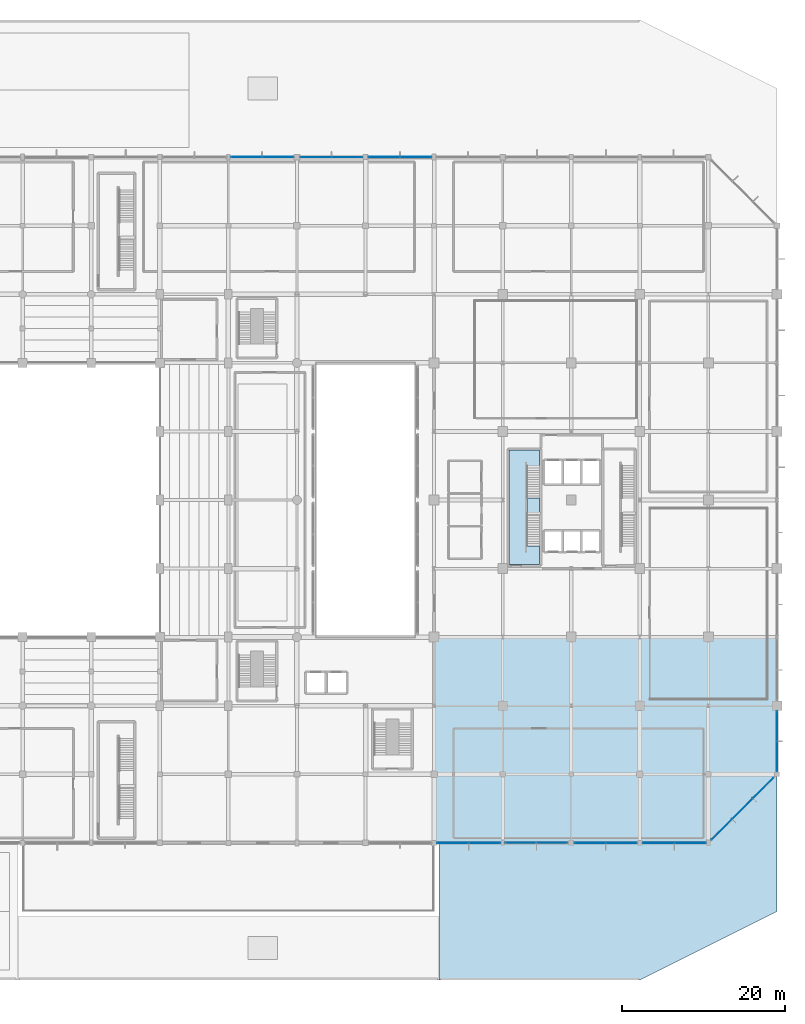
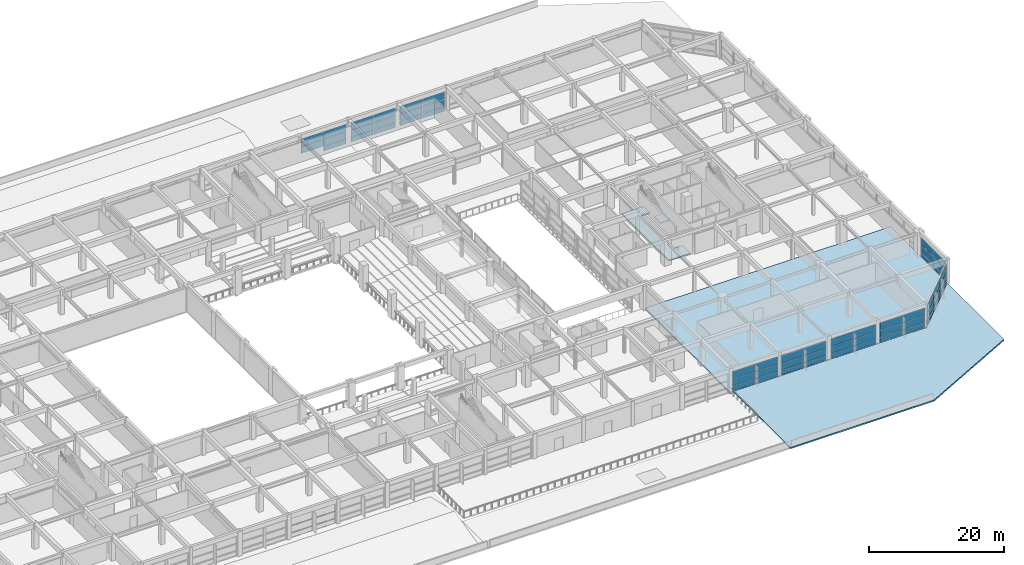
# One storey, part 40 of 60: 56 plates, 4 slabs, 10 elements without a shape of their own.
"""IFC4 building model written with IfcOpenShell, lengths in metres."""

from ifc_helpers import new_model, si_unit, direction, frame, origin, origin_2d, place, context, subcontext, project, spatial, polyline, rectangle, outline, extrude, material, layer, layer_set, type_object, element, aggregate, save


model = new_model("IFC4")

# Units and contexts
model_context = context("Model", 3, precision=1e-05, world=origin(), true_north=direction((0.0, 1.0)))
body_context = subcontext(model_context, "Body", "Model", "MODEL_VIEW")
ifc_project = project(units=[si_unit("LENGTHUNIT", "METRE"), si_unit("AREAUNIT", "SQUARE_METRE"), si_unit("VOLUMEUNIT", "CUBIC_METRE"), si_unit("PLANEANGLEUNIT", "RADIAN"), si_unit("MASSUNIT", "GRAM", prefix="KILO")], contexts=[model_context])

# Site, building, storey
site_placement = place(None, origin())
site = spatial("IfcSite", under=ifc_project, at=site_placement, CompositionType="ELEMENT")
building_placement = place(site_placement, origin())
building = spatial("IfcBuilding", under=site, at=building_placement, Name="Xuanlan Plaza Opera House", CompositionType="ELEMENT")
storey_placement = place(building_placement, frame((0.0, 0.0, 9.89990234375)))
storey = spatial("IfcBuildingStorey", under=building, at=storey_placement, Name="L02", CompositionType="ELEMENT", Elevation=9.89990234375)

# Curtain wall, plates
ifc_material_1 = material(Name="Anodised Aluminium 6063-T6 and Low-E Glass", Category="aluminium")
curtain_wall_type_1 = type_object("IfcCurtainWallType", Name="ENV-CW-CW-03", PredefinedType="USERDEFINED", material=ifc_material_1)
curtain_wall_1_placement = place(storey_placement, origin())
curtain_wall_1 = element("IfcCurtainWall", 1, at=curtain_wall_1_placement, inside=storey, type_object=curtain_wall_type_1, Name="Unitised Curtain Wall L02-019", ObjectType="UNITISED CURTAIN WALL", PredefinedType="USERDEFINED")
ifc_material_2 = material(Name="Laminated Acoustic Double Glazing", Category="glass")
ifc_layer_1 = layer(ifc_material_2, 0.028076171875)
ifc_layer_set_1 = layer_set([ifc_layer_1], Name="Laminated Acoustic Double Glazing")
plate_type_1 = type_object("IfcPlateType", Name="ENV-CWP-01", PredefinedType="CURTAIN_PANEL", material=ifc_layer_set_1)
plate_1_placement = place(storey_placement, frame((161.237548828125, 18.4375, 0.0703125), z_axis=(0.0, 0.0, 1.0), x_axis=(0.707106781187, 0.707106781187, 0.0)))
plate_1 = element("IfcPlate", 2, at=plate_1_placement, type_object=plate_type_1, Name="CW-03 panel 1.1", PredefinedType="CURTAIN_PANEL", context=body_context, shape_type="SweptSolid", body=[
    extrude(rectangle(XDim=3.49462890625, YDim=0.028076171875, at=origin_2d()), origin(), (0.0, 0.0, 1.0), 0.844970703125),
])
plate_2_placement = place(storey_placement, frame((161.237548828125, 18.4375, 0.985107421875), z_axis=(0.0, 0.0, 1.0), x_axis=(0.707106781187, 0.707106781187, 0.0)))
plate_2 = element("IfcPlate", 3, at=plate_2_placement, type_object=plate_type_1, Name="CW-03 panel 1.2", PredefinedType="CURTAIN_PANEL", context=body_context, shape_type="SweptSolid", body=[
    extrude(rectangle(XDim=3.49462890625, YDim=0.028076171875, at=origin_2d()), origin(), (0.0, 0.0, 1.0), 1.22998046875),
])
plate_3_placement = place(storey_placement, frame((161.237548828125, 18.4375, 2.28515625), z_axis=(0.0, 0.0, 1.0), x_axis=(0.707106781187, 0.707106781187, 0.0)))
plate_3 = element("IfcPlate", 4, at=plate_3_placement, type_object=plate_type_1, Name="CW-03 panel 1.3", PredefinedType="CURTAIN_PANEL", context=body_context, shape_type="SweptSolid", body=[
    extrude(rectangle(XDim=3.49462890625, YDim=0.028076171875, at=origin_2d()), origin(), (0.0, 0.0, 1.0), 1.324951171875),
])
plate_4_placement = place(storey_placement, frame((163.77490234375, 20.97509765625, 0.0703125), z_axis=(0.0, 0.0, 1.0), x_axis=(0.707106781187, 0.707106781187, 0.0)))
plate_4 = element("IfcPlate", 5, at=plate_4_placement, type_object=plate_type_1, Name="CW-03 panel 2.1", PredefinedType="CURTAIN_PANEL", context=body_context, shape_type="SweptSolid", body=[
    extrude(rectangle(XDim=3.5322265625, YDim=0.028076171875, at=origin_2d()), origin(), (0.0, 0.0, 1.0), 0.844970703125),
])
plate_5_placement = place(storey_placement, frame((163.77490234375, 20.97509765625, 0.985107421875), z_axis=(0.0, 0.0, 1.0), x_axis=(0.707106781187, 0.707106781187, 0.0)))
plate_5 = element("IfcPlate", 6, at=plate_5_placement, type_object=plate_type_1, Name="CW-03 panel 2.2", PredefinedType="CURTAIN_PANEL", context=body_context, shape_type="SweptSolid", body=[
    extrude(rectangle(XDim=3.5322265625, YDim=0.028076171875, at=origin_2d()), origin(), (0.0, 0.0, 1.0), 1.22998046875),
])
plate_6_placement = place(storey_placement, frame((163.77490234375, 20.97509765625, 2.28515625), z_axis=(0.0, 0.0, 1.0), x_axis=(0.707106781187, 0.707106781187, 0.0)))
plate_6 = element("IfcPlate", 7, at=plate_6_placement, type_object=plate_type_1, Name="CW-03 panel 2.3", PredefinedType="CURTAIN_PANEL", context=body_context, shape_type="SweptSolid", body=[
    extrude(rectangle(XDim=3.5322265625, YDim=0.028076171875, at=origin_2d()), origin(), (0.0, 0.0, 1.0), 1.324951171875),
])
plate_7_placement = place(storey_placement, frame((166.3125, 23.512451171875, 0.0703125), z_axis=(0.0, 0.0, 1.0), x_axis=(0.707106781187, 0.707106781187, 0.0)))
plate_7 = element("IfcPlate", 8, at=plate_7_placement, type_object=plate_type_1, Name="CW-03 panel 3.1", PredefinedType="CURTAIN_PANEL", context=body_context, shape_type="SweptSolid", body=[
    extrude(rectangle(XDim=3.49462890625, YDim=0.028076171875, at=origin_2d()), origin(), (0.0, 0.0, 1.0), 0.844970703125),
])
plate_8_placement = place(storey_placement, frame((166.3125, 23.512451171875, 0.985107421875), z_axis=(0.0, 0.0, 1.0), x_axis=(0.707106781187, 0.707106781187, 0.0)))
plate_8 = element("IfcPlate", 9, at=plate_8_placement, type_object=plate_type_1, Name="CW-03 panel 3.2", PredefinedType="CURTAIN_PANEL", context=body_context, shape_type="SweptSolid", body=[
    extrude(rectangle(XDim=3.49462890625, YDim=0.028076171875, at=origin_2d()), origin(), (0.0, 0.0, 1.0), 1.22998046875),
])
plate_9_placement = place(storey_placement, frame((166.3125, 23.512451171875, 2.28515625), z_axis=(0.0, 0.0, 1.0), x_axis=(0.707106781187, 0.707106781187, 0.0)))
plate_9 = element("IfcPlate", 10, at=plate_9_placement, type_object=plate_type_1, Name="CW-03 panel 3.3", PredefinedType="CURTAIN_PANEL", context=body_context, shape_type="SweptSolid", body=[
    extrude(rectangle(XDim=3.49462890625, YDim=0.028076171875, at=origin_2d()), origin(), (0.0, 0.0, 1.0), 1.324951171875),
])
aggregate(curtain_wall_1, [plate_1, plate_2, plate_3, plate_4, plate_5, plate_6, plate_7, plate_8, plate_9])

curtain_wall_type_2 = type_object("IfcCurtainWallType", Name="ENV-CW-CW-05", PredefinedType="USERDEFINED", material=ifc_material_1)
curtain_wall_2_placement = place(storey_placement, origin())
curtain_wall_2 = element("IfcCurtainWall", 11, at=curtain_wall_2_placement, inside=storey, type_object=curtain_wall_type_2, Name="Acoustic Glazed Wall L02-034", ObjectType="ACOUSTIC GLAZED WALL", PredefinedType="USERDEFINED")
plate_10_placement = place(storey_placement, frame((115.333740234375, 100.800048828125, 0.0703125), z_axis=(0.0, 0.0, 1.0), x_axis=(-1.0, 0.0, 0.0)))
plate_10 = element("IfcPlate", 12, at=plate_10_placement, type_object=plate_type_1, Name="CW-05 panel 1.1", PredefinedType="CURTAIN_PANEL", context=body_context, shape_type="SweptSolid", body=[
    extrude(rectangle(XDim=3.742431640625, YDim=0.028076171875, at=origin_2d()), origin(), (0.0, 0.0, 1.0), 0.844970703125),
])
plate_11_placement = place(storey_placement, frame((115.333740234375, 100.800048828125, 0.985107421875), z_axis=(0.0, 0.0, 1.0), x_axis=(-1.0, 0.0, 0.0)))
plate_11 = element("IfcPlate", 13, at=plate_11_placement, type_object=plate_type_1, Name="CW-05 panel 1.2", PredefinedType="CURTAIN_PANEL", context=body_context, shape_type="SweptSolid", body=[
    extrude(rectangle(XDim=3.742431640625, YDim=0.028076171875, at=origin_2d()), origin(), (0.0, 0.0, 1.0), 1.22998046875),
])
plate_12_placement = place(storey_placement, frame((115.333740234375, 100.800048828125, 2.28515625), z_axis=(0.0, 0.0, 1.0), x_axis=(-1.0, 0.0, 0.0)))
plate_12 = element("IfcPlate", 14, at=plate_12_placement, type_object=plate_type_1, Name="CW-05 panel 1.3", PredefinedType="CURTAIN_PANEL", context=body_context, shape_type="SweptSolid", body=[
    extrude(rectangle(XDim=3.742431640625, YDim=0.028076171875, at=origin_2d()), origin(), (0.0, 0.0, 1.0), 1.324951171875),
])
plate_13_placement = place(storey_placement, frame((111.516357421875, 100.800048828125, 0.0703125), z_axis=(0.0, 0.0, 1.0), x_axis=(-1.0, 0.0, 0.0)))
plate_13 = element("IfcPlate", 15, at=plate_13_placement, type_object=plate_type_1, Name="CW-05 panel 2.1", PredefinedType="CURTAIN_PANEL", context=body_context, shape_type="SweptSolid", body=[
    extrude(rectangle(XDim=3.742431640625, YDim=0.028076171875, at=origin_2d()), origin(), (0.0, 0.0, 1.0), 0.844970703125),
])
plate_14_placement = place(storey_placement, frame((111.516357421875, 100.800048828125, 0.985107421875), z_axis=(0.0, 0.0, 1.0), x_axis=(-1.0, 0.0, 0.0)))
plate_14 = element("IfcPlate", 16, at=plate_14_placement, type_object=plate_type_1, Name="CW-05 panel 2.2", PredefinedType="CURTAIN_PANEL", context=body_context, shape_type="SweptSolid", body=[
    extrude(rectangle(XDim=3.742431640625, YDim=0.028076171875, at=origin_2d()), origin(), (0.0, 0.0, 1.0), 1.22998046875),
])
plate_15_placement = place(storey_placement, frame((111.516357421875, 100.800048828125, 2.28515625), z_axis=(0.0, 0.0, 1.0), x_axis=(-1.0, 0.0, 0.0)))
plate_15 = element("IfcPlate", 17, at=plate_15_placement, type_object=plate_type_1, Name="CW-05 panel 2.3", PredefinedType="CURTAIN_PANEL", context=body_context, shape_type="SweptSolid", body=[
    extrude(rectangle(XDim=3.742431640625, YDim=0.028076171875, at=origin_2d()), origin(), (0.0, 0.0, 1.0), 1.324951171875),
])
aggregate(curtain_wall_2, [plate_10, plate_11, plate_12, plate_13, plate_14, plate_15])

curtain_wall_type_3 = type_object("IfcCurtainWallType", Name="ENV-CW-CW-04", PredefinedType="USERDEFINED", material=ifc_material_1)
curtain_wall_3_placement = place(storey_placement, origin())
curtain_wall_3 = element("IfcCurtainWall", 18, at=curtain_wall_3_placement, inside=storey, type_object=curtain_wall_type_3, Name="Unitised Curtain Wall L02-016", ObjectType="UNITISED CURTAIN WALL", PredefinedType="USERDEFINED")
ifc_layer_2 = layer(ifc_material_2, 0.031982421875)
ifc_layer_set_2 = layer_set([ifc_layer_2], Name="Laminated Acoustic Double Glazing")
plate_type_2 = type_object("IfcPlateType", Name="ENV-CWP-02", PredefinedType="CURTAIN_PANEL", material=ifc_layer_set_2)
plate_16_placement = place(storey_placement, frame((136.61376953125, 16.800048828125, 0.065185546875), z_axis=(0.0, 0.0, 1.0), x_axis=(1.0, 0.0, 0.0)))
plate_16 = element("IfcPlate", 19, at=plate_16_placement, type_object=plate_type_2, Name="CW-04 panel 1.1", PredefinedType="CURTAIN_PANEL", context=body_context, shape_type="SweptSolid", body=[
    extrude(rectangle(XDim=3.757568359375, YDim=0.031982421875, at=origin_2d()), origin(), (0.0, 0.0, 1.0), 0.8525390625),
])
plate_17_placement = place(storey_placement, frame((136.61376953125, 16.800048828125, 0.982421875), z_axis=(0.0, 0.0, 1.0), x_axis=(1.0, 0.0, 0.0)))
plate_17 = element("IfcPlate", 20, at=plate_17_placement, type_object=plate_type_2, Name="CW-04 panel 1.2", PredefinedType="CURTAIN_PANEL", context=body_context, shape_type="SweptSolid", body=[
    extrude(rectangle(XDim=3.757568359375, YDim=0.031982421875, at=origin_2d()), origin(), (0.0, 0.0, 1.0), 1.235107421875),
])
plate_18_placement = place(storey_placement, frame((136.61376953125, 16.800048828125, 2.282470703125), z_axis=(0.0, 0.0, 1.0), x_axis=(1.0, 0.0, 0.0)))
plate_18 = element("IfcPlate", 21, at=plate_18_placement, type_object=plate_type_2, Name="CW-04 panel 1.3", PredefinedType="CURTAIN_PANEL", context=body_context, shape_type="SweptSolid", body=[
    extrude(rectangle(XDim=3.757568359375, YDim=0.031982421875, at=origin_2d()), origin(), (0.0, 0.0, 1.0), 1.33251953125),
])
plate_19_placement = place(storey_placement, frame((140.461181640625, 16.800048828125, 0.065185546875), z_axis=(0.0, 0.0, 1.0), x_axis=(1.0, 0.0, 0.0)))
plate_19 = element("IfcPlate", 22, at=plate_19_placement, type_object=plate_type_2, Name="CW-04 panel 2.1", PredefinedType="CURTAIN_PANEL", context=body_context, shape_type="SweptSolid", body=[
    extrude(rectangle(XDim=3.757568359375, YDim=0.031982421875, at=origin_2d()), origin(), (0.0, 0.0, 1.0), 0.8525390625),
])
plate_20_placement = place(storey_placement, frame((140.461181640625, 16.800048828125, 0.982421875), z_axis=(0.0, 0.0, 1.0), x_axis=(1.0, 0.0, 0.0)))
plate_20 = element("IfcPlate", 23, at=plate_20_placement, type_object=plate_type_2, Name="CW-04 panel 2.2", PredefinedType="CURTAIN_PANEL", context=body_context, shape_type="SweptSolid", body=[
    extrude(rectangle(XDim=3.757568359375, YDim=0.031982421875, at=origin_2d()), origin(), (0.0, 0.0, 1.0), 1.235107421875),
])
plate_21_placement = place(storey_placement, frame((140.461181640625, 16.800048828125, 2.282470703125), z_axis=(0.0, 0.0, 1.0), x_axis=(1.0, 0.0, 0.0)))
plate_21 = element("IfcPlate", 24, at=plate_21_placement, type_object=plate_type_2, Name="CW-04 panel 2.3", PredefinedType="CURTAIN_PANEL", context=body_context, shape_type="SweptSolid", body=[
    extrude(rectangle(XDim=3.757568359375, YDim=0.031982421875, at=origin_2d()), origin(), (0.0, 0.0, 1.0), 1.33251953125),
])
aggregate(curtain_wall_3, [plate_16, plate_17, plate_18, plate_19, plate_20, plate_21])

curtain_wall_type_4 = type_object("IfcCurtainWallType", Name="ENV-CW-CW-02", PredefinedType="USERDEFINED", material=ifc_material_1)
curtain_wall_4_placement = place(storey_placement, origin())
curtain_wall_4 = element("IfcCurtainWall", 25, at=curtain_wall_4_placement, inside=storey, type_object=curtain_wall_type_4, Name="Unitised Curtain Wall L02-018", ObjectType="UNITISED CURTAIN WALL", PredefinedType="USERDEFINED")
ifc_layer_3 = layer(ifc_material_2, 0.035888671875)
ifc_layer_set_3 = layer_set([ifc_layer_3], Name="Laminated Acoustic Double Glazing")
plate_type_3 = type_object("IfcPlateType", Name="ENV-CWP-03", PredefinedType="CURTAIN_PANEL", material=ifc_layer_set_3)
plate_22_placement = place(storey_placement, frame((153.489990234375, 16.800048828125, 0.090087890625), z_axis=(0.0, 0.0, 1.0), x_axis=(1.0, 0.0, 0.0)))
plate_22 = element("IfcPlate", 26, at=plate_22_placement, type_object=plate_type_3, Name="CW-02 panel 1.1", PredefinedType="CURTAIN_PANEL", context=body_context, shape_type="SweptSolid", body=[
    extrude(rectangle(XDim=3.800048828125, YDim=0.035888671875, at=origin_2d()), origin(), (0.0, 0.0, 1.0), 0.81494140625),
])
plate_23_placement = place(storey_placement, frame((153.489990234375, 16.800048828125, 0.9951171875), z_axis=(0.0, 0.0, 1.0), x_axis=(1.0, 0.0, 0.0)))
plate_23 = element("IfcPlate", 27, at=plate_23_placement, type_object=plate_type_3, Name="CW-02 panel 1.2", PredefinedType="CURTAIN_PANEL", context=body_context, shape_type="SweptSolid", body=[
    extrude(rectangle(XDim=3.800048828125, YDim=0.035888671875, at=origin_2d()), origin(), (0.0, 0.0, 1.0), 1.2099609375),
])
plate_24_placement = place(storey_placement, frame((153.489990234375, 16.800048828125, 2.295166015625), z_axis=(0.0, 0.0, 1.0), x_axis=(1.0, 0.0, 0.0)))
plate_24 = element("IfcPlate", 28, at=plate_24_placement, type_object=plate_type_3, Name="CW-02 panel 1.3", PredefinedType="CURTAIN_PANEL", context=body_context, shape_type="SweptSolid", body=[
    extrude(rectangle(XDim=3.800048828125, YDim=0.035888671875, at=origin_2d()), origin(), (0.0, 0.0, 1.0), 1.294921875),
])
plate_25_placement = place(storey_placement, frame((157.360107421875, 16.800048828125, 0.090087890625), z_axis=(0.0, 0.0, 1.0), x_axis=(1.0, 0.0, 0.0)))
plate_25 = element("IfcPlate", 29, at=plate_25_placement, type_object=plate_type_3, Name="CW-02 panel 2.1", PredefinedType="CURTAIN_PANEL", context=body_context, shape_type="SweptSolid", body=[
    extrude(rectangle(XDim=3.800048828125, YDim=0.035888671875, at=origin_2d()), origin(), (0.0, 0.0, 1.0), 0.81494140625),
])
plate_26_placement = place(storey_placement, frame((157.360107421875, 16.800048828125, 0.9951171875), z_axis=(0.0, 0.0, 1.0), x_axis=(1.0, 0.0, 0.0)))
plate_26 = element("IfcPlate", 30, at=plate_26_placement, type_object=plate_type_3, Name="CW-02 panel 2.2", PredefinedType="CURTAIN_PANEL", context=body_context, shape_type="SweptSolid", body=[
    extrude(rectangle(XDim=3.800048828125, YDim=0.035888671875, at=origin_2d()), origin(), (0.0, 0.0, 1.0), 1.2099609375),
])
plate_27_placement = place(storey_placement, frame((157.360107421875, 16.800048828125, 2.295166015625), z_axis=(0.0, 0.0, 1.0), x_axis=(1.0, 0.0, 0.0)))
plate_27 = element("IfcPlate", 31, at=plate_27_placement, type_object=plate_type_3, Name="CW-02 panel 2.3", PredefinedType="CURTAIN_PANEL", context=body_context, shape_type="SweptSolid", body=[
    extrude(rectangle(XDim=3.800048828125, YDim=0.035888671875, at=origin_2d()), origin(), (0.0, 0.0, 1.0), 1.294921875),
])
aggregate(curtain_wall_4, [plate_22, plate_23, plate_24, plate_25, plate_26, plate_27])

curtain_wall_type_5 = type_object("IfcCurtainWallType", Name="ENV-CW-CW-06", PredefinedType="USERDEFINED", material=ifc_material_1)
curtain_wall_5_placement = place(storey_placement, origin())
curtain_wall_5 = element("IfcCurtainWall", 32, at=curtain_wall_5_placement, inside=storey, type_object=curtain_wall_type_5, Name="Acoustic Glazed Wall L02-033", ObjectType="ACOUSTIC GLAZED WALL", PredefinedType="USERDEFINED")
plate_28_placement = place(storey_placement, frame((123.760009765625, 100.800048828125, 0.090087890625), z_axis=(0.0, 0.0, 1.0), x_axis=(-1.0, 0.0, 0.0)))
plate_28 = element("IfcPlate", 33, at=plate_28_placement, type_object=plate_type_3, Name="CW-06 panel 1.1", PredefinedType="CURTAIN_PANEL", context=body_context, shape_type="SweptSolid", body=[
    extrude(rectangle(XDim=3.800048828125, YDim=0.035888671875, at=origin_2d()), origin(), (0.0, 0.0, 1.0), 0.81494140625),
])
plate_29_placement = place(storey_placement, frame((123.760009765625, 100.800048828125, 0.9951171875), z_axis=(0.0, 0.0, 1.0), x_axis=(-1.0, 0.0, 0.0)))
plate_29 = element("IfcPlate", 34, at=plate_29_placement, type_object=plate_type_3, Name="CW-06 panel 1.2", PredefinedType="CURTAIN_PANEL", context=body_context, shape_type="SweptSolid", body=[
    extrude(rectangle(XDim=3.800048828125, YDim=0.035888671875, at=origin_2d()), origin(), (0.0, 0.0, 1.0), 1.2099609375),
])
plate_30_placement = place(storey_placement, frame((123.760009765625, 100.800048828125, 2.295166015625), z_axis=(0.0, 0.0, 1.0), x_axis=(-1.0, 0.0, 0.0)))
plate_30 = element("IfcPlate", 35, at=plate_30_placement, type_object=plate_type_3, Name="CW-06 panel 1.3", PredefinedType="CURTAIN_PANEL", context=body_context, shape_type="SweptSolid", body=[
    extrude(rectangle(XDim=3.800048828125, YDim=0.035888671875, at=origin_2d()), origin(), (0.0, 0.0, 1.0), 1.294921875),
])
plate_31_placement = place(storey_placement, frame((119.889892578125, 100.800048828125, 0.090087890625), z_axis=(0.0, 0.0, 1.0), x_axis=(-1.0, 0.0, 0.0)))
plate_31 = element("IfcPlate", 36, at=plate_31_placement, type_object=plate_type_3, Name="CW-06 panel 2.1", PredefinedType="CURTAIN_PANEL", context=body_context, shape_type="SweptSolid", body=[
    extrude(rectangle(XDim=3.800048828125, YDim=0.035888671875, at=origin_2d()), origin(), (0.0, 0.0, 1.0), 0.81494140625),
])
plate_32_placement = place(storey_placement, frame((119.889892578125, 100.800048828125, 0.9951171875), z_axis=(0.0, 0.0, 1.0), x_axis=(-1.0, 0.0, 0.0)))
plate_32 = element("IfcPlate", 37, at=plate_32_placement, type_object=plate_type_3, Name="CW-06 panel 2.2", PredefinedType="CURTAIN_PANEL", context=body_context, shape_type="SweptSolid", body=[
    extrude(rectangle(XDim=3.800048828125, YDim=0.035888671875, at=origin_2d()), origin(), (0.0, 0.0, 1.0), 1.2099609375),
])
plate_33_placement = place(storey_placement, frame((119.889892578125, 100.800048828125, 2.295166015625), z_axis=(0.0, 0.0, 1.0), x_axis=(-1.0, 0.0, 0.0)))
plate_33 = element("IfcPlate", 38, at=plate_33_placement, type_object=plate_type_3, Name="CW-06 panel 2.3", PredefinedType="CURTAIN_PANEL", context=body_context, shape_type="SweptSolid", body=[
    extrude(rectangle(XDim=3.800048828125, YDim=0.035888671875, at=origin_2d()), origin(), (0.0, 0.0, 1.0), 1.294921875),
])
aggregate(curtain_wall_5, [plate_28, plate_29, plate_30, plate_31, plate_32, plate_33])

curtain_wall_6_placement = place(storey_placement, origin())
curtain_wall_6 = element("IfcCurtainWall", 39, at=curtain_wall_6_placement, inside=storey, type_object=curtain_wall_type_5, Name="Acoustic Glazed Wall L02-015", ObjectType="ACOUSTIC GLAZED WALL", PredefinedType="USERDEFINED")
ifc_layer_4 = layer(ifc_material_2, 0.0400390625)
ifc_layer_set_4 = layer_set([ifc_layer_4], Name="Laminated Acoustic Double Glazing")
plate_type_4 = type_object("IfcPlateType", Name="ENV-CWP-04", PredefinedType="CURTAIN_PANEL", material=ifc_layer_set_4)
plate_34_placement = place(storey_placement, frame((128.298828125, 16.800048828125, 0.080078125), z_axis=(0.0, 0.0, 1.0), x_axis=(1.0, 0.0, 0.0)))
plate_34 = element("IfcPlate", 40, at=plate_34_placement, type_object=plate_type_4, Name="CW-06 panel 1.1", PredefinedType="CURTAIN_PANEL", context=body_context, shape_type="SweptSolid", body=[
    extrude(rectangle(XDim=3.797607421875, YDim=0.0400390625, at=origin_2d()), origin(), (0.0, 0.0, 1.0), 0.830078125),
])
plate_35_placement = place(storey_placement, frame((128.298828125, 16.800048828125, 0.990234375), z_axis=(0.0, 0.0, 1.0), x_axis=(1.0, 0.0, 0.0)))
plate_35 = element("IfcPlate", 41, at=plate_35_placement, type_object=plate_type_4, Name="CW-06 panel 1.2", PredefinedType="CURTAIN_PANEL", context=body_context, shape_type="SweptSolid", body=[
    extrude(rectangle(XDim=3.797607421875, YDim=0.0400390625, at=origin_2d()), origin(), (0.0, 0.0, 1.0), 1.219970703125),
])
plate_36_placement = place(storey_placement, frame((128.298828125, 16.800048828125, 2.2900390625), z_axis=(0.0, 0.0, 1.0), x_axis=(1.0, 0.0, 0.0)))
plate_36 = element("IfcPlate", 42, at=plate_36_placement, type_object=plate_type_4, Name="CW-06 panel 1.3", PredefinedType="CURTAIN_PANEL", context=body_context, shape_type="SweptSolid", body=[
    extrude(rectangle(XDim=3.797607421875, YDim=0.0400390625, at=origin_2d()), origin(), (0.0, 0.0, 1.0), 1.31005859375),
])
plate_37_placement = place(storey_placement, frame((132.17626953125, 16.800048828125, 0.080078125), z_axis=(0.0, 0.0, 1.0), x_axis=(1.0, 0.0, 0.0)))
plate_37 = element("IfcPlate", 43, at=plate_37_placement, type_object=plate_type_4, Name="CW-06 panel 2.1", PredefinedType="CURTAIN_PANEL", context=body_context, shape_type="SweptSolid", body=[
    extrude(rectangle(XDim=3.797607421875, YDim=0.0400390625, at=origin_2d()), origin(), (0.0, 0.0, 1.0), 0.830078125),
])
plate_38_placement = place(storey_placement, frame((132.17626953125, 16.800048828125, 0.990234375), z_axis=(0.0, 0.0, 1.0), x_axis=(1.0, 0.0, 0.0)))
plate_38 = element("IfcPlate", 44, at=plate_38_placement, type_object=plate_type_4, Name="CW-06 panel 2.2", PredefinedType="CURTAIN_PANEL", context=body_context, shape_type="SweptSolid", body=[
    extrude(rectangle(XDim=3.797607421875, YDim=0.0400390625, at=origin_2d()), origin(), (0.0, 0.0, 1.0), 1.219970703125),
])
plate_39_placement = place(storey_placement, frame((132.17626953125, 16.800048828125, 2.2900390625), z_axis=(0.0, 0.0, 1.0), x_axis=(1.0, 0.0, 0.0)))
plate_39 = element("IfcPlate", 45, at=plate_39_placement, type_object=plate_type_4, Name="CW-06 panel 2.3", PredefinedType="CURTAIN_PANEL", context=body_context, shape_type="SweptSolid", body=[
    extrude(rectangle(XDim=3.797607421875, YDim=0.0400390625, at=origin_2d()), origin(), (0.0, 0.0, 1.0), 1.31005859375),
])
aggregate(curtain_wall_6, [plate_34, plate_35, plate_36, plate_37, plate_38, plate_39])

curtain_wall_7_placement = place(storey_placement, origin())
curtain_wall_7 = element("IfcCurtainWall", 46, at=curtain_wall_7_placement, inside=storey, type_object=curtain_wall_type_3, Name="Unitised Curtain Wall L02-020", ObjectType="UNITISED CURTAIN WALL", PredefinedType="USERDEFINED")
plate_40_placement = place(storey_placement, frame((168.0, 27.405029296875, 0.080078125), z_axis=(0.0, 0.0, 1.0), x_axis=(0.0, 1.0, 0.0)))
plate_40 = element("IfcPlate", 47, at=plate_40_placement, type_object=plate_type_4, Name="CW-04 panel 1.1", PredefinedType="CURTAIN_PANEL", context=body_context, shape_type="SweptSolid", body=[
    extrude(rectangle(XDim=3.610107421875, YDim=0.0400390625, at=origin_2d()), origin(), (0.0, 0.0, 1.0), 0.830078125),
])
plate_41_placement = place(storey_placement, frame((168.0, 27.405029296875, 0.990234375), z_axis=(0.0, 0.0, 1.0), x_axis=(0.0, 1.0, 0.0)))
plate_41 = element("IfcPlate", 48, at=plate_41_placement, type_object=plate_type_4, Name="CW-04 panel 1.2", PredefinedType="CURTAIN_PANEL", context=body_context, shape_type="SweptSolid", body=[
    extrude(rectangle(XDim=3.610107421875, YDim=0.0400390625, at=origin_2d()), origin(), (0.0, 0.0, 1.0), 1.219970703125),
])
plate_42_placement = place(storey_placement, frame((168.0, 27.405029296875, 2.2900390625), z_axis=(0.0, 0.0, 1.0), x_axis=(0.0, 1.0, 0.0)))
plate_42 = element("IfcPlate", 49, at=plate_42_placement, type_object=plate_type_4, Name="CW-04 panel 1.3", PredefinedType="CURTAIN_PANEL", context=body_context, shape_type="SweptSolid", body=[
    extrude(rectangle(XDim=3.610107421875, YDim=0.0400390625, at=origin_2d()), origin(), (0.0, 0.0, 1.0), 1.31005859375),
])
plate_43_placement = place(storey_placement, frame((168.0, 31.094970703125, 0.080078125), z_axis=(0.0, 0.0, 1.0), x_axis=(0.0, 1.0, 0.0)))
plate_43 = element("IfcPlate", 50, at=plate_43_placement, type_object=plate_type_4, Name="CW-04 panel 2.1", PredefinedType="CURTAIN_PANEL", context=body_context, shape_type="SweptSolid", body=[
    extrude(rectangle(XDim=3.610107421875, YDim=0.0400390625, at=origin_2d()), origin(), (0.0, 0.0, 1.0), 0.830078125),
])
plate_44_placement = place(storey_placement, frame((168.0, 31.094970703125, 0.990234375), z_axis=(0.0, 0.0, 1.0), x_axis=(0.0, 1.0, 0.0)))
plate_44 = element("IfcPlate", 51, at=plate_44_placement, type_object=plate_type_4, Name="CW-04 panel 2.2", PredefinedType="CURTAIN_PANEL", context=body_context, shape_type="SweptSolid", body=[
    extrude(rectangle(XDim=3.610107421875, YDim=0.0400390625, at=origin_2d()), origin(), (0.0, 0.0, 1.0), 1.219970703125),
])
plate_45_placement = place(storey_placement, frame((168.0, 31.094970703125, 2.2900390625), z_axis=(0.0, 0.0, 1.0), x_axis=(0.0, 1.0, 0.0)))
plate_45 = element("IfcPlate", 52, at=plate_45_placement, type_object=plate_type_4, Name="CW-04 panel 2.3", PredefinedType="CURTAIN_PANEL", context=body_context, shape_type="SweptSolid", body=[
    extrude(rectangle(XDim=3.610107421875, YDim=0.0400390625, at=origin_2d()), origin(), (0.0, 0.0, 1.0), 1.31005859375),
])
aggregate(curtain_wall_7, [plate_40, plate_41, plate_42, plate_43, plate_44, plate_45])

curtain_wall_8_placement = place(storey_placement, origin())
curtain_wall_8 = element("IfcCurtainWall", 53, at=curtain_wall_8_placement, inside=storey, type_object=curtain_wall_type_5, Name="Acoustic Glazed Wall L02-035", ObjectType="ACOUSTIC GLAZED WALL", PredefinedType="USERDEFINED")
plate_46_placement = place(storey_placement, frame((106.86376953125, 100.800048828125, 0.080078125), z_axis=(0.0, 0.0, 1.0), x_axis=(-1.0, 0.0, 0.0)))
plate_46 = element("IfcPlate", 54, at=plate_46_placement, type_object=plate_type_4, Name="CW-06 panel 1.1", PredefinedType="CURTAIN_PANEL", context=body_context, shape_type="SweptSolid", body=[
    extrude(rectangle(XDim=3.7724609375, YDim=0.0400390625, at=origin_2d()), origin(), (0.0, 0.0, 1.0), 0.830078125),
])
plate_47_placement = place(storey_placement, frame((106.86376953125, 100.800048828125, 0.990234375), z_axis=(0.0, 0.0, 1.0), x_axis=(-1.0, 0.0, 0.0)))
plate_47 = element("IfcPlate", 55, at=plate_47_placement, type_object=plate_type_4, Name="CW-06 panel 1.2", PredefinedType="CURTAIN_PANEL", context=body_context, shape_type="SweptSolid", body=[
    extrude(rectangle(XDim=3.7724609375, YDim=0.0400390625, at=origin_2d()), origin(), (0.0, 0.0, 1.0), 1.219970703125),
])
plate_48_placement = place(storey_placement, frame((106.86376953125, 100.800048828125, 2.2900390625), z_axis=(0.0, 0.0, 1.0), x_axis=(-1.0, 0.0, 0.0)))
plate_48 = element("IfcPlate", 56, at=plate_48_placement, type_object=plate_type_4, Name="CW-06 panel 1.3", PredefinedType="CURTAIN_PANEL", context=body_context, shape_type="SweptSolid", body=[
    extrude(rectangle(XDim=3.7724609375, YDim=0.0400390625, at=origin_2d()), origin(), (0.0, 0.0, 1.0), 1.31005859375),
])
plate_49_placement = place(storey_placement, frame((103.01123046875, 100.800048828125, 0.990234375), z_axis=(0.0, 0.0, 1.0), x_axis=(-1.0, 0.0, 0.0)))
plate_49 = element("IfcPlate", 57, at=plate_49_placement, type_object=plate_type_4, Name="CW-06 panel 2.2", PredefinedType="CURTAIN_PANEL", context=body_context, shape_type="SweptSolid", body=[
    extrude(rectangle(XDim=3.7724609375, YDim=0.0400390625, at=origin_2d()), origin(), (0.0, 0.0, 1.0), 1.219970703125),
])
plate_50_placement = place(storey_placement, frame((103.01123046875, 100.800048828125, 2.2900390625), z_axis=(0.0, 0.0, 1.0), x_axis=(-1.0, 0.0, 0.0)))
plate_50 = element("IfcPlate", 58, at=plate_50_placement, type_object=plate_type_4, Name="CW-06 panel 2.3", PredefinedType="CURTAIN_PANEL", context=body_context, shape_type="SweptSolid", body=[
    extrude(rectangle(XDim=3.7724609375, YDim=0.0400390625, at=origin_2d()), origin(), (0.0, 0.0, 1.0), 1.31005859375),
])
aggregate(curtain_wall_8, [plate_46, plate_47, plate_48, plate_49, plate_50])

curtain_wall_type_6 = type_object("IfcCurtainWallType", Name="ENV-CW-CW-01", PredefinedType="USERDEFINED", material=ifc_material_1)
curtain_wall_9_placement = place(storey_placement, origin())
curtain_wall_9 = element("IfcCurtainWall", 59, at=curtain_wall_9_placement, inside=storey, type_object=curtain_wall_type_6, Name="Unitised Curtain Wall L02-017", ObjectType="UNITISED CURTAIN WALL", PredefinedType="USERDEFINED")
ifc_layer_5 = layer(ifc_material_2, 0.0439453125)
ifc_layer_set_5 = layer_set([ifc_layer_5], Name="Laminated Acoustic Double Glazing")
plate_type_5 = type_object("IfcPlateType", Name="ENV-CWP-05", PredefinedType="CURTAIN_PANEL", material=ifc_layer_set_5)
plate_51_placement = place(storey_placement, frame((145.11376953125, 16.800048828125, 0.0751953125), z_axis=(0.0, 0.0, 1.0), x_axis=(1.0, 0.0, 0.0)))
plate_51 = element("IfcPlate", 60, at=plate_51_placement, type_object=plate_type_5, Name="CW-01 panel 1.1", PredefinedType="CURTAIN_PANEL", context=body_context, shape_type="SweptSolid", body=[
    extrude(rectangle(XDim=3.757568359375, YDim=0.0439453125, at=origin_2d()), origin(), (0.0, 0.0, 1.0), 0.83740234375),
])
plate_52_placement = place(storey_placement, frame((145.11376953125, 16.800048828125, 0.987548828125), z_axis=(0.0, 0.0, 1.0), x_axis=(1.0, 0.0, 0.0)))
plate_52 = element("IfcPlate", 61, at=plate_52_placement, type_object=plate_type_5, Name="CW-01 panel 1.2", PredefinedType="CURTAIN_PANEL", context=body_context, shape_type="SweptSolid", body=[
    extrude(rectangle(XDim=3.757568359375, YDim=0.0439453125, at=origin_2d()), origin(), (0.0, 0.0, 1.0), 1.22509765625),
])
plate_53_placement = place(storey_placement, frame((145.11376953125, 16.800048828125, 2.28759765625), z_axis=(0.0, 0.0, 1.0), x_axis=(1.0, 0.0, 0.0)))
plate_53 = element("IfcPlate", 62, at=plate_53_placement, type_object=plate_type_5, Name="CW-01 panel 1.3", PredefinedType="CURTAIN_PANEL", context=body_context, shape_type="SweptSolid", body=[
    extrude(rectangle(XDim=3.757568359375, YDim=0.0439453125, at=origin_2d()), origin(), (0.0, 0.0, 1.0), 1.3173828125),
])
plate_54_placement = place(storey_placement, frame((148.936279296875, 16.800048828125, 0.0751953125), z_axis=(0.0, 0.0, 1.0), x_axis=(1.0, 0.0, 0.0)))
plate_54 = element("IfcPlate", 63, at=plate_54_placement, type_object=plate_type_5, Name="CW-01 panel 2.1", PredefinedType="CURTAIN_PANEL", context=body_context, shape_type="SweptSolid", body=[
    extrude(rectangle(XDim=3.757568359375, YDim=0.0439453125, at=origin_2d()), origin(), (0.0, 0.0, 1.0), 0.83740234375),
])
plate_55_placement = place(storey_placement, frame((148.936279296875, 16.800048828125, 0.987548828125), z_axis=(0.0, 0.0, 1.0), x_axis=(1.0, 0.0, 0.0)))
plate_55 = element("IfcPlate", 64, at=plate_55_placement, type_object=plate_type_5, Name="CW-01 panel 2.2", PredefinedType="CURTAIN_PANEL", context=body_context, shape_type="SweptSolid", body=[
    extrude(rectangle(XDim=3.757568359375, YDim=0.0439453125, at=origin_2d()), origin(), (0.0, 0.0, 1.0), 1.22509765625),
])
plate_56_placement = place(storey_placement, frame((148.936279296875, 16.800048828125, 2.28759765625), z_axis=(0.0, 0.0, 1.0), x_axis=(1.0, 0.0, 0.0)))
plate_56 = element("IfcPlate", 65, at=plate_56_placement, type_object=plate_type_5, Name="CW-01 panel 2.3", PredefinedType="CURTAIN_PANEL", context=body_context, shape_type="SweptSolid", body=[
    extrude(rectangle(XDim=3.757568359375, YDim=0.0439453125, at=origin_2d()), origin(), (0.0, 0.0, 1.0), 1.3173828125),
])
aggregate(curtain_wall_9, [plate_51, plate_52, plate_53, plate_54, plate_55, plate_56])

# Stair, slabs
ifc_material_3 = material(Name="Concrete C40", Category="concrete")
stair_type = type_object("IfcStairType", Name="INT-ST-STR-T155", PredefinedType="STRAIGHT_RUN_STAIR", material=ifc_material_3)
stair_placement = place(storey_placement, origin())
stair = element("IfcStair", 66, at=stair_placement, inside=storey, type_object=stair_type, Name="Protected Exit Stair ST-T1 L02", PredefinedType="STRAIGHT_RUN_STAIR")
ifc_layer_6 = layer(ifc_material_3, 0.199951171875)
ifc_layer_set_6 = layer_set([ifc_layer_6], Name="Concrete C40")
slab_type_1 = type_object("IfcSlabType", Name="INT-SLB-LND-20", PredefinedType="LANDING", material=ifc_layer_set_6)
slab_1_placement = place(storey_placement, frame((0.0, 0.0, 2.050048828125)))
slab_1 = element("IfcSlab", 67, at=slab_1_placement, type_object=slab_type_1, Name="ST-T1-L02 landing 1", PredefinedType="LANDING", context=body_context, shape_type="SweptSolid", body=[
    extrude(outline(polyline([(137.35009765625, 57.135009765625), (138.89990234375, 57.135009765625), (138.89990234375, 59.034912109375), (137.35009765625, 59.034912109375), (137.35009765625, 57.135009765625)])), origin(), (0.0, 0.0, 1.0), 0.199951171875),
])
slab_2_placement = place(storey_placement, frame((0.0, 0.0, -0.199951171875)))
slab_2 = element("IfcSlab", 68, at=slab_2_placement, type_object=slab_type_1, Name="ST-T1-L02 landing 2", PredefinedType="LANDING", context=body_context, shape_type="SweptSolid", body=[
    extrude(outline(polyline([(135.199951171875, 50.89990234375), (138.89990234375, 50.89990234375), (138.89990234375, 53.195068359375), (137.35009765625, 53.195068359375), (137.35009765625, 62.97509765625), (138.89990234375, 62.97509765625), (138.89990234375, 64.89990234375), (135.199951171875, 64.89990234375), (135.199951171875, 50.89990234375)])), origin(), (0.0, 0.0, 1.0), 0.199951171875),
])
aggregate(stair, [slab_1, slab_2])

# Slabs
ifc_layer_7 = layer(ifc_material_3, 0.25)
ifc_layer_set_7 = layer_set([ifc_layer_7], Name="Concrete C40")
slab_type_2 = type_object("IfcSlabType", Name="STR-SLB-RF-01", PredefinedType="ROOF", material=ifc_layer_set_7)
slab_3_placement = place(storey_placement, frame((0.0, 0.0, -0.25)))
element("IfcSlab", 69, at=slab_3_placement, inside=storey, type_object=slab_type_2, Name="South-East Podium Arcade Roof Slab", PredefinedType="ROOF", context=body_context, shape_type="SweptSolid", body=[
    extrude(outline(polyline([(126.60009765625, 0.0), (151.199951171875, 0.0), (168.0, 8.39990234375), (168.0, 25.199951171875), (159.60009765625, 16.800048828125), (126.60009765625, 16.800048828125), (126.60009765625, 0.0)])), origin(), (0.0, 0.0, 1.0), 0.25),
])
ifc_layer_8 = layer(ifc_material_3, 0.260009765625)
ifc_layer_set_8 = layer_set([ifc_layer_8], Name="Concrete C40")
slab_type_3 = type_object("IfcSlabType", Name="STR-SLB-SL-02", PredefinedType="FLOOR", material=ifc_layer_set_8)
slab_4_placement = place(storey_placement, frame((0.0, 0.0, -0.260009765625)))
element("IfcSlab", 70, at=slab_4_placement, inside=storey, type_object=slab_type_3, Name="Storey L02 Structural Floor Slab Zone 14", PredefinedType="FLOOR", context=body_context, shape_type="SweptSolid", body=[
    extrude(outline(polyline([(168.0, 25.199951171875), (159.60009765625, 16.800048828125), (126.0, 16.800048828125), (126.0, 42.0), (168.0, 42.0), (168.0, 25.199951171875)])), origin(), (0.0, 0.0, 1.0), 0.260009765625),
])

save(model, "model.ifc")
